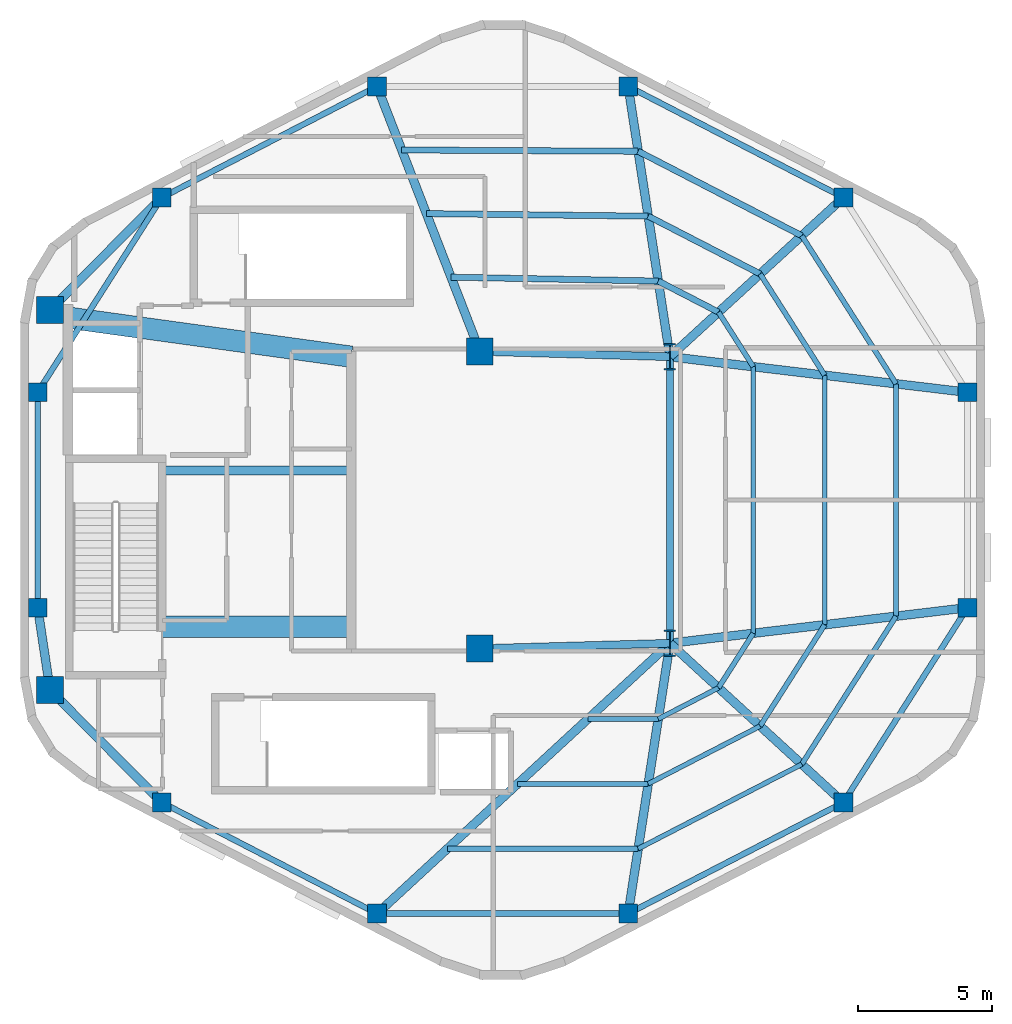
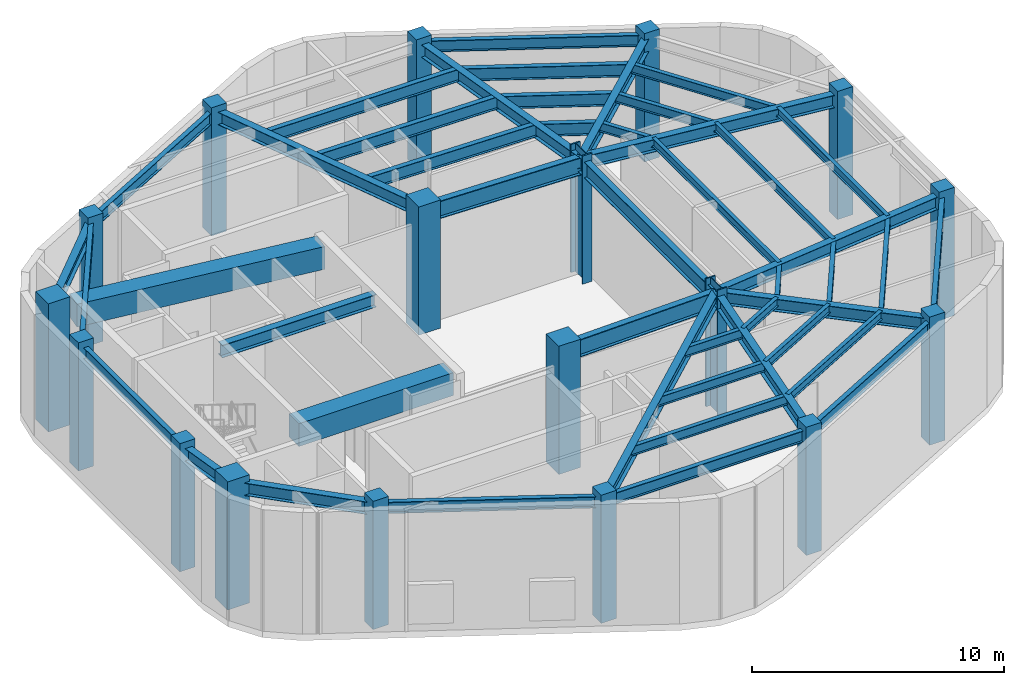
# One storey, part 1 of 5: 46 beams, 18 columns.
"""IFC4 building model written with IfcOpenShell, lengths in metres."""

import ifcopenshell
import ifcopenshell.guid

model = None  # the IFC model being written
_history = None  # IfcOwnerHistory: only IFC2X3 demands one
_inside = {}  # id of a spatial element -> (the spatial element, [elements in it])
_under = {}  # id of a project, library or spatial element -> (it, [spatial elements below it])
_declared = {}  # id of a project -> (the project, [libraries it declares])
_typed = {}  # id of a type object -> (the type object, [elements of that type])
_made_of = {}  # id of a material, layer set ... -> (it, [elements and type objects made of it])


def new_model(schema):
    """Start an empty IFC model of exactly this schema.

    Asked for "IFC4X3", IfcOpenShell would pick the latest addendum, in which some entities
    have other attributes; the version numbers below select the first issue.
    IFC2X3 requires an IfcOwnerHistory on every rooted entity: one is made here for all.
    """
    global model, _history
    if schema == "IFC4X3":
        model = ifcopenshell.file(schema_version=(4, 3, 0, 0))
    else:
        model = ifcopenshell.file(schema=schema)
    _inside.clear()
    _under.clear()
    _declared.clear()
    _typed.clear()
    _made_of.clear()
    _history = None
    if model.schema == "IFC2X3":
        org = make("IfcOrganization", Name="unknown")
        user = make(
            "IfcPersonAndOrganization",
            ThePerson=make("IfcPerson", FamilyName="unknown"),
            TheOrganization=org,
        )
        app = make(
            "IfcApplication",
            ApplicationDeveloper=org,
            Version="unknown",
            ApplicationFullName="unknown",
            ApplicationIdentifier="unknown",
        )
        _history = make(
            "IfcOwnerHistory",
            OwningUser=user,
            OwningApplication=app,
            ChangeAction="ADDED",
            CreationDate=0,
        )
    return model


def make(cls, **values):
    """One entity of the class cls with the attributes given. An attribute that is None is left unset."""
    return model.create_entity(
        cls, **{name: value for name, value in values.items() if value is not None}
    )


def rooted(cls, **values):
    """An entity with a GlobalId (a new one), such as an element, a storey or a relation."""
    return make(cls, GlobalId=ifcopenshell.guid.new(), OwnerHistory=_history, **values)


def si_unit(unit_type, name, prefix=None):
    """IfcSIUnit, for example si_unit("LENGTHUNIT", "METRE", prefix="MILLI")."""
    return make("IfcSIUnit", UnitType=unit_type, Prefix=prefix, Name=name)


def assignment(units):
    """IfcUnitAssignment: the units of a project."""
    return None if units is None else make("IfcUnitAssignment", Units=units)


def point(xyz):
    """IfcCartesianPoint."""
    return None if xyz is None else make("IfcCartesianPoint", Coordinates=xyz)


def direction(xyz):
    """IfcDirection."""
    return None if xyz is None else make("IfcDirection", DirectionRatios=xyz)


def frame(location, z_axis=None, x_axis=None):
    """IfcAxis2Placement3D, a coordinate frame: its origin and axes. An axis left out is left unset."""
    return make(
        "IfcAxis2Placement3D",
        Location=point(location),
        Axis=direction(z_axis),
        RefDirection=direction(x_axis),
    )


def frame_2d(location, x_axis=None):
    """IfcAxis2Placement2D, a coordinate frame in the plane: its origin and x axis."""
    return make(
        "IfcAxis2Placement2D", Location=point(location), RefDirection=direction(x_axis)
    )


def origin():
    """The frame at (0, 0, 0) with its axes left unset."""
    return frame((0.0, 0.0, 0.0))


def origin_2d():
    """The frame at (0, 0) in the plane with its x axis left unset."""
    return frame_2d((0.0, 0.0))


def place(relative_to, where):
    """IfcLocalPlacement: puts the frame where relative to a parent placement (None: the world)."""
    return make(
        "IfcLocalPlacement", PlacementRelTo=relative_to, RelativePlacement=where
    )


def context(
    kind, dimensions, precision=None, world=None, true_north=None, identifier=None
):
    """IfcGeometricRepresentationContext, for example the 3D "Model" context."""
    return make(
        "IfcGeometricRepresentationContext",
        ContextIdentifier=identifier,
        ContextType=kind,
        CoordinateSpaceDimension=dimensions,
        Precision=precision,
        WorldCoordinateSystem=world,
        TrueNorth=true_north,
    )


def subcontext(parent, identifier, kind, view, scale=None):
    """IfcGeometricRepresentationSubContext, for example "Body" below "Model"."""
    return make(
        "IfcGeometricRepresentationSubContext",
        ContextIdentifier=identifier,
        ContextType=kind,
        ParentContext=parent,
        TargetScale=scale,
        TargetView=view,
    )


def project(units=None, contexts=None):
    """IfcProject with its units and contexts."""
    return rooted(
        "IfcProject",
        Name="project",
        RepresentationContexts=contexts,
        UnitsInContext=assignment(units),
    )


def spatial(cls, under=None, at=None, **own):
    """A site, building, storey or space (cls), placed at a placement, below another one or the project."""
    s = rooted(cls, ObjectPlacement=at, **own)
    if under is not None:
        _under.setdefault(under.id(), (under, []))[1].append(s)
    return s


def profile(cls, at=None, kind="AREA", **sizes):
    """A parametric profile (cls). Its sizes go by their IFC names, for example OverallWidth=200.0."""
    return make(cls, ProfileType=kind, Position=at, **sizes)


def rectangle(**sizes):
    """IfcRectangleProfileDef."""
    return profile("IfcRectangleProfileDef", **sizes)


def i_section(**sizes):
    """IfcIShapeProfileDef."""
    return profile("IfcIShapeProfileDef", **sizes)


def extrude(swept, where, along, depth):
    """IfcExtrudedAreaSolid: the profile swept, set in the frame where, extruded along a direction by depth."""
    return make(
        "IfcExtrudedAreaSolid",
        SweptArea=swept,
        Position=where,
        ExtrudedDirection=direction(along),
        Depth=depth,
    )


def shape(context_of_items, identifier, shape_type, items):
    """IfcShapeRepresentation: the items that make up one representation, for example the "Body"."""
    return make(
        "IfcShapeRepresentation",
        ContextOfItems=context_of_items,
        RepresentationIdentifier=identifier,
        RepresentationType=shape_type,
        Items=items,
    )


def material(Name=None, Category=None):
    """IfcMaterial."""
    return make("IfcMaterial", Name=Name, Category=Category)


def material_profile(
    of_material, cross_section, Name=None, Category=None, Priority=None
):
    """IfcMaterialProfile: a cross section and its material."""
    return make(
        "IfcMaterialProfile",
        Name=Name,
        Material=of_material,
        Profile=cross_section,
        Priority=Priority,
        Category=Category,
    )


def profile_set(profiles, Name=None, composite=None):
    """IfcMaterialProfileSet."""
    return make(
        "IfcMaterialProfileSet",
        Name=Name,
        MaterialProfiles=profiles,
        CompositeProfile=composite,
    )


def made_of(thing, what):
    """Note that an element or type object is made of a material, layer set ...; save() writes the relation."""
    if what is not None:
        _made_of.setdefault(what.id(), (what, []))[1].append(thing)
    return thing


def type_object(cls, material=None, **own):
    """A type object (cls), such as IfcWallType, which elements share."""
    return made_of(rooted(cls, **own), material)


def element(
    cls,
    number,
    at=None,
    inside=None,
    cuts=None,
    type_object=None,
    material=None,
    context=None,
    identifier="Body",
    shape_type=None,
    held_by="IfcProductDefinitionShape",
    body=None,
    shapes=None,
    **own,
):
    """One element of the class cls, such as IfcWall. Its Tag is "e" and its number.

    at: its placement. inside: the storey or other place that contains it. cuts: it is an
    opening in that element (IfcRelVoidsElement). A single representation is given by context,
    identifier, shape_type and body (its items); several are given by shapes. held_by: the class
    of the entity that holds the representations. save() writes the other relations.
    """
    e = rooted(cls, Tag="e%d" % number, ObjectPlacement=at, **own)
    if body is not None:
        shapes = [shape(context, identifier, shape_type, body)]
    if shapes is not None:
        e.Representation = make(held_by, Representations=shapes)
    if inside is not None:
        _inside.setdefault(inside.id(), (inside, []))[1].append(e)
    if cuts is not None:
        rooted(
            "IfcRelVoidsElement", RelatingBuildingElement=cuts, RelatedOpeningElement=e
        )
    if type_object is not None:
        _typed.setdefault(type_object.id(), (type_object, []))[1].append(e)
    return made_of(e, material)


def aggregate(whole, parts):
    """IfcRelAggregates: a whole, such as a stair, and the parts it consists of."""
    return rooted("IfcRelAggregates", RelatingObject=whole, RelatedObjects=parts)


def save(model, path):
    """Write the relations noted so far, then the file.

    IfcRelAggregates (storeys below a building ...), IfcRelContainedInSpatialStructure (elements
    in a storey), IfcRelDefinesByType, IfcRelAssociatesMaterial and IfcRelDeclares: one each for
    every whole, place, type object, material and project.
    """
    for whole, parts in _under.values():
        aggregate(whole, parts)
    for where, things in _inside.values():
        rooted(
            "IfcRelContainedInSpatialStructure",
            RelatedElements=things,
            RelatingStructure=where,
        )
    for kind, things in _typed.values():
        rooted("IfcRelDefinesByType", RelatedObjects=things, RelatingType=kind)
    for what, things in _made_of.values():
        rooted("IfcRelAssociatesMaterial", RelatedObjects=things, RelatingMaterial=what)
    for by, libraries in _declared.values():
        rooted("IfcRelDeclares", RelatingContext=by, RelatedDefinitions=libraries)
    model.write(path)


model = new_model("IFC4")

# Units and contexts
model_context = context("Model", 3, precision=1e-05, world=origin(), true_north=direction((0.0, 1.0)))
body_context = subcontext(model_context, "Body", "Model", "MODEL_VIEW")
ifc_project = project(units=[si_unit("LENGTHUNIT", "METRE"), si_unit("AREAUNIT", "SQUARE_METRE"), si_unit("VOLUMEUNIT", "CUBIC_METRE"), si_unit("PLANEANGLEUNIT", "RADIAN"), si_unit("MASSUNIT", "GRAM", prefix="KILO"), si_unit("THERMODYNAMICTEMPERATUREUNIT", "KELVIN"), si_unit("POWERUNIT", "WATT")], contexts=[model_context])

# Site, building, storey
site_placement = place(None, origin())
site = spatial("IfcSite", under=ifc_project, at=site_placement, CompositionType="ELEMENT")
building_placement = place(site_placement, origin())
building = spatial("IfcBuilding", under=site, at=building_placement, Name="Skarre Station Tower", CompositionType="ELEMENT")
storey_placement = place(building_placement, frame((0.0, 0.0, 285.10009765625)))
storey = spatial("IfcBuildingStorey", under=building, at=storey_placement, Name="L77", CompositionType="ELEMENT", Elevation=285.10009765625)

# Columns
ifc_material_1 = material(Name="Concrete C60/75", Category="concrete")
ifc_material_profile_1 = material_profile(ifc_material_1, rectangle(XDim=1.0, YDim=1.0, at=origin_2d()), Name="Concrete C60/75")
ifc_profile_set_1 = profile_set([ifc_material_profile_1], Name="Concrete C60/75")
column_type_1 = type_object("IfcColumnType", Name="RC Structural Column RC-COL-1000X1000", PredefinedType="COLUMN", material=ifc_profile_set_1)
for number, where, z_axis, x_axis, name in (
    (1, (16.300048828125, 16.89990234375, 0.0), (0.0, 0.0, 1.0), (1.0, 0.0, 0.0), "L77 Core Column CC-SW"),
    (2, (16.300048828125, 31.10009765625, 0.0), (0.0, 0.0, 1.0), (1.0, 0.0, 0.0), "L77 Core Column CC-NW"),
    (3, (32.35009765625, 18.449951171875, 0.0), (0.0, 0.0, 1.0), (1.0, 0.0, 0.0), "L77 Core Column CC-SE"),
    (4, (32.35009765625, 29.550048828125, 0.0), (0.0, 0.0, 1.0), (1.0, 0.0, 0.0), "L77 Core Column CC-NE"),
):
    element("IfcColumn", number, at=place(storey_placement, frame(where, z_axis=z_axis, x_axis=x_axis)), inside=storey, type_object=column_type_1, Name=name, PredefinedType="COLUMN", context=body_context, shape_type="SweptSolid", body=[
        extrude(rectangle(XDim=1.0, YDim=1.0, at=origin_2d()), origin(), (0.0, 0.0, 1.0), 6.199951171875),
    ])
ifc_material_2 = material(Name="Concrete C50/60", Category="concrete")
ifc_material_profile_2 = material_profile(ifc_material_2, rectangle(XDim=0.699951171875, YDim=0.699951171875, at=origin_2d()), Name="Concrete C50/60")
ifc_profile_set_2 = profile_set([ifc_material_profile_2], Name="Concrete C50/60")
column_type_2 = type_object("IfcColumnType", Name="RC Structural Column RC-COL-700X700", PredefinedType="COLUMN", material=ifc_profile_set_2)
for number, where, z_axis, x_axis, name in (
    (5, (45.927001953125, 35.298095703125, 0.0), (0.0, 0.0, 1.0), (1.0, 0.0, 0.0), "L77 Zone 4 Perimeter Column F0C1"),
    (6, (37.888916015625, 39.447021484375, 0.0), (0.0, 0.0, 1.0), (1.0, 0.0, 0.0), "L77 Zone 4 Perimeter Column F0C2"),
    (7, (28.510986328125, 39.447021484375, 0.0), (0.0, 0.0, 1.0), (1.0, 0.0, 0.0), "L77 Zone 4 Perimeter Column F1C1"),
    (8, (20.472900390625, 35.298095703125, 0.0), (0.0, 0.0, 1.0), (1.0, 0.0, 0.0), "L77 Zone 4 Perimeter Column F1C2"),
    (9, (15.8369140625, 28.02099609375, 0.0), (0.0, 0.0, 1.0), (1.0, 0.0, 0.0), "L77 Zone 4 Perimeter Column F2C1"),
    (10, (15.8369140625, 19.97900390625, 0.0), (0.0, 0.0, 1.0), (1.0, 0.0, 0.0), "L77 Zone 4 Perimeter Column F2C2"),
    (11, (20.472900390625, 12.701904296875, 0.0), (0.0, 0.0, 1.0), (1.0, 0.0, 0.0), "L77 Zone 4 Perimeter Column F3C1"),
    (12, (28.510986328125, 8.552978515625, 0.0), (0.0, 0.0, 1.0), (1.0, 0.0, 0.0), "L77 Zone 4 Perimeter Column F3C2"),
    (13, (37.888916015625, 8.552978515625, 0.0), (0.0, 0.0, 1.0), (1.0, 0.0, 0.0), "L77 Zone 4 Perimeter Column F4C1"),
    (14, (45.927001953125, 12.701904296875, 0.0), (0.0, 0.0, 1.0), (1.0, 0.0, 0.0), "L77 Zone 4 Perimeter Column F4C2"),
    (15, (50.56298828125, 19.97900390625, 0.0), (0.0, 0.0, 1.0), (1.0, 0.0, 0.0), "L77 Zone 4 Perimeter Column F5C1"),
    (16, (50.56298828125, 28.02099609375, 0.0), (0.0, 0.0, 1.0), (1.0, 0.0, 0.0), "L77 Zone 4 Perimeter Column F5C2"),
):
    element("IfcColumn", number, at=place(storey_placement, frame(where, z_axis=z_axis, x_axis=x_axis)), inside=storey, type_object=column_type_2, Name=name, PredefinedType="COLUMN", context=body_context, shape_type="SweptSolid", body=[
        extrude(rectangle(XDim=0.699951171875, YDim=0.699951171875, at=origin_2d()), origin(), (0.0, 0.0, 1.0), 6.199951171875),
    ])
ifc_material_3 = material(Name="Steel ASTM A913 Grade 65", Category="steel")
ifc_material_profile_3 = material_profile(ifc_material_3, i_section(OverallWidth=0.430908203125, OverallDepth=0.987060546875, WebThickness=0.033935546875, FlangeThickness=0.06201171875, at=origin_2d()), Name="Steel ASTM A913 Grade 65")
ifc_profile_set_3 = profile_set([ifc_material_profile_3], Name="Steel ASTM A913 Grade 65")
column_type_3 = type_object("IfcColumnType", Name="Steel Column W36X441", PredefinedType="COLUMN", material=ifc_profile_set_3)
for number, where, z_axis, x_axis, name in (
    (17, (39.449951171875, 18.64990234375, 0.0), (0.0, 0.0, 1.0), (1.0, 0.0, 0.0), "L77 Atrium Spine Column AC-SE"),
    (18, (39.449951171875, 29.35009765625, 0.0), (0.0, 0.0, 1.0), (1.0, 0.0, 0.0), "L77 Atrium Spine Column AC-NE"),
):
    element("IfcColumn", number, at=place(storey_placement, frame(where, z_axis=z_axis, x_axis=x_axis)), inside=storey, type_object=column_type_3, Name=name, PredefinedType="COLUMN", context=body_context, shape_type="SweptSolid", body=[
        extrude(i_section(OverallWidth=0.430908203125, OverallDepth=0.987060546875, WebThickness=0.033935546875, FlangeThickness=0.06201171875, at=origin_2d()), origin(), (0.0, 0.0, 1.0), 6.199951171875),
    ])

# Beams
ifc_material_4 = material(Name="Concrete C70/85", Category="concrete")
ifc_material_profile_4 = material_profile(ifc_material_4, rectangle(XDim=0.800048828125, YDim=1.10009765625, at=origin_2d()), Name="Concrete C70/85")
ifc_profile_set_4 = profile_set([ifc_material_profile_4], Name="Concrete C70/85")
beam_type_1 = type_object("IfcBeamType", Name="RC Core Coupling Lintel 800x1100", PredefinedType="LINTEL", material=ifc_profile_set_4)
beam_1_placement = place(storey_placement, frame((20.489990234375, 19.260009765625, 5.329833984375), z_axis=(1.0, 0.0, 0.0), x_axis=(0.0, 1.0, 0.0)))
element("IfcBeam", 19, at=beam_1_placement, inside=storey, type_object=beam_type_1, Name="L77 South Core Coupling Lintel", PredefinedType="LINTEL", context=body_context, shape_type="SweptSolid", body=[
    extrude(rectangle(XDim=0.800048828125, YDim=1.10009765625, at=origin_2d()), origin(), (0.0, 0.0, 1.0), 7.06005859375),
])
beam_2_placement = place(storey_placement, frame((17.050048828125, 30.800048828125, 5.329833984375), z_axis=(0.990599723633, -0.136792498109, 0.0), x_axis=(0.136792498109, 0.990599723633, 0.0)))
element("IfcBeam", 20, at=beam_2_placement, inside=storey, type_object=beam_type_1, Name="L77 North Core Coupling Lintel", PredefinedType="LINTEL", context=body_context, shape_type="SweptSolid", body=[
    extrude(rectangle(XDim=0.800048828125, YDim=1.10009765625, at=origin_2d()), origin(), (0.0, 0.0, 1.0), 10.599609375),
])
ifc_material_5 = material(Name="Steel ASTM A992 Grade 50", Category="steel")
ifc_material_profile_5 = material_profile(ifc_material_5, i_section(OverallWidth=0.323974609375, OverallDepth=0.611083984375, WebThickness=0.012939453125, FlangeThickness=0.01904296875, at=origin_2d()), Name="Steel ASTM A992 Grade 50")
ifc_profile_set_5 = profile_set([ifc_material_profile_5], Name="Steel ASTM A992 Grade 50")
beam_type_2 = type_object("IfcBeamType", Name="Steel Beam W24X104", PredefinedType="BEAM", material=ifc_profile_set_5)
beam_3_placement = place(storey_placement, frame((39.449951171875, 29.35009765625, 5.574951171875), z_axis=(0.736547671183, 0.676385635621, 0.0), x_axis=(-0.676385635621, 0.736547671183, 0.0)))
element("IfcBeam", 21, at=beam_3_placement, inside=storey, type_object=beam_type_2, Name="L77 Radial Floor Girder F0C1", PredefinedType="BEAM", context=body_context, shape_type="SweptSolid", body=[
    extrude(i_section(OverallWidth=0.323974609375, OverallDepth=0.611083984375, WebThickness=0.012939453125, FlangeThickness=0.01904296875, at=origin_2d()), origin(), (0.0, 0.0, 1.0), 8.793701171875),
])
beam_4_placement = place(storey_placement, frame((39.449951171875, 29.35009765625, 5.574951171875), z_axis=(-0.152789762931, 0.988258715288, 0.0), x_axis=(-0.988258715288, -0.152789762931, 0.0)))
element("IfcBeam", 22, at=beam_4_placement, inside=storey, type_object=beam_type_2, Name="L77 Radial Floor Girder F0C2", PredefinedType="BEAM", context=body_context, shape_type="SweptSolid", body=[
    extrude(i_section(OverallWidth=0.323974609375, OverallDepth=0.611083984375, WebThickness=0.012939453125, FlangeThickness=0.01904296875, at=origin_2d()), origin(), (0.0, 0.0, 1.0), 10.216796875),
])
beam_5_placement = place(storey_placement, frame((32.35009765625, 29.550048828125, 5.574951171875), z_axis=(-0.361651478681, 0.932313363611, 0.0), x_axis=(-0.932313363611, -0.361651478681, 0.0)))
element("IfcBeam", 23, at=beam_5_placement, inside=storey, type_object=beam_type_2, Name="L77 Radial Floor Girder F1C1", PredefinedType="BEAM", context=body_context, shape_type="SweptSolid", body=[
    extrude(i_section(OverallWidth=0.323974609375, OverallDepth=0.611083984375, WebThickness=0.012939453125, FlangeThickness=0.01904296875, at=origin_2d()), origin(), (0.0, 0.0, 1.0), 10.615478515625),
])
beam_6_placement = place(storey_placement, frame((16.300048828125, 31.10009765625, 5.574951171875), z_axis=(0.704979413242, 0.709227768002, 0.0), x_axis=(-0.709227768002, 0.704979413242, 0.0)))
element("IfcBeam", 24, at=beam_6_placement, inside=storey, type_object=beam_type_2, Name="L77 Radial Floor Girder F1C2", PredefinedType="BEAM", context=body_context, shape_type="SweptSolid", body=[
    extrude(i_section(OverallWidth=0.323974609375, OverallDepth=0.611083984375, WebThickness=0.012939453125, FlangeThickness=0.01904296875, at=origin_2d()), origin(), (0.0, 0.0, 1.0), 5.919189453125),
])
beam_7_placement = place(storey_placement, frame((16.300048828125, 16.89990234375, 5.574951171875), z_axis=(-0.148739188492, 0.988876460336, 0.0), x_axis=(-0.988876460336, -0.148739188492, 0.0)))
element("IfcBeam", 25, at=beam_7_placement, inside=storey, type_object=beam_type_2, Name="L77 Radial Floor Girder F2C2", PredefinedType="BEAM", context=body_context, shape_type="SweptSolid", body=[
    extrude(i_section(OverallWidth=0.323974609375, OverallDepth=0.611083984375, WebThickness=0.012939453125, FlangeThickness=0.01904296875, at=origin_2d()), origin(), (0.0, 0.0, 1.0), 3.11376953125),
])
beam_8_placement = place(storey_placement, frame((16.300048828125, 16.89990234375, 5.574951171875), z_axis=(0.704979413242, -0.709227768002, 0.0), x_axis=(0.709227768002, 0.704979413242, 0.0)))
element("IfcBeam", 26, at=beam_8_placement, inside=storey, type_object=beam_type_2, Name="L77 Radial Floor Girder F3C1", PredefinedType="BEAM", context=body_context, shape_type="SweptSolid", body=[
    extrude(i_section(OverallWidth=0.323974609375, OverallDepth=0.611083984375, WebThickness=0.012939453125, FlangeThickness=0.01904296875, at=origin_2d()), origin(), (0.0, 0.0, 1.0), 5.919189453125),
])
beam_9_placement = place(storey_placement, frame((39.449951171875, 18.64990234375, 5.574951171875), z_axis=(-0.734822935818, -0.678258986668, 0.0), x_axis=(0.678258986668, -0.734822935818, 0.0)))
element("IfcBeam", 27, at=beam_9_placement, inside=storey, type_object=beam_type_2, Name="L77 Radial Floor Girder F3C2", PredefinedType="BEAM", context=body_context, shape_type="SweptSolid", body=[
    extrude(i_section(OverallWidth=0.323974609375, OverallDepth=0.611083984375, WebThickness=0.012939453125, FlangeThickness=0.01904296875, at=origin_2d()), origin(), (0.0, 0.0, 1.0), 14.886474609375),
])
beam_10_placement = place(storey_placement, frame((39.449951171875, 18.64990234375, 5.574951171875), z_axis=(-0.152789762931, -0.988258715288, 0.0), x_axis=(0.988258715288, -0.152789762931, 0.0)))
element("IfcBeam", 28, at=beam_10_placement, inside=storey, type_object=beam_type_2, Name="L77 Radial Floor Girder F4C1", PredefinedType="BEAM", context=body_context, shape_type="SweptSolid", body=[
    extrude(i_section(OverallWidth=0.323974609375, OverallDepth=0.611083984375, WebThickness=0.012939453125, FlangeThickness=0.01904296875, at=origin_2d()), origin(), (0.0, 0.0, 1.0), 10.216796875),
])
beam_11_placement = place(storey_placement, frame((39.449951171875, 18.64990234375, 5.574951171875), z_axis=(0.736547671183, -0.676385635621, 0.0), x_axis=(0.676385635621, 0.736547671183, 0.0)))
element("IfcBeam", 29, at=beam_11_placement, inside=storey, type_object=beam_type_2, Name="L77 Radial Floor Girder F4C2", PredefinedType="BEAM", context=body_context, shape_type="SweptSolid", body=[
    extrude(i_section(OverallWidth=0.323974609375, OverallDepth=0.611083984375, WebThickness=0.012939453125, FlangeThickness=0.01904296875, at=origin_2d()), origin(), (0.0, 0.0, 1.0), 8.793701171875),
])
for number, where, z_axis, x_axis, name in (
    (30, (39.449951171875, 18.64990234375, 5.574951171875), (0.99292393128, 0.118752122891, 0.0), (-0.118752122891, 0.99292393128, 0.0), "L77 Radial Floor Girder F5C1"),
    (31, (39.449951171875, 29.35009765625, 5.574951171875), (0.99292393128, -0.118752122891, 0.0), (0.118752122891, 0.99292393128, 0.0), "L77 Radial Floor Girder F5C2"),
):
    element("IfcBeam", number, at=place(storey_placement, frame(where, z_axis=z_axis, x_axis=x_axis)), inside=storey, type_object=beam_type_2, Name=name, PredefinedType="BEAM", context=body_context, shape_type="SweptSolid", body=[
        extrude(i_section(OverallWidth=0.323974609375, OverallDepth=0.611083984375, WebThickness=0.012939453125, FlangeThickness=0.01904296875, at=origin_2d()), origin(), (0.0, 0.0, 1.0), 11.192138671875),
    ])
beam_12_placement = place(storey_placement, frame((20.489990234375, 25.10009765625, 5.673828125), z_axis=(1.0, 0.0, 0.0), x_axis=(0.0, 1.0, 0.0)))
element("IfcBeam", 32, at=beam_12_placement, inside=storey, type_object=beam_type_2, Name="L77 Crown Vestibule North Support Beam", PredefinedType="BEAM", context=body_context, shape_type="SweptSolid", body=[
    extrude(i_section(OverallWidth=0.323974609375, OverallDepth=0.611083984375, WebThickness=0.012939453125, FlangeThickness=0.01904296875, at=origin_2d()), origin(), (0.0, 0.0, 1.0), 7.06005859375),
])
ifc_material_profile_6 = material_profile(ifc_material_5, i_section(OverallWidth=0.26806640625, OverallDepth=0.77001953125, WebThickness=0.01611328125, FlangeThickness=0.02490234375, at=origin_2d()), Name="Steel ASTM A992 Grade 50")
ifc_profile_set_6 = profile_set([ifc_material_profile_6], Name="Steel ASTM A992 Grade 50")
beam_type_3 = type_object("IfcBeamType", Name="Steel Beam W30X132", PredefinedType="BEAM", material=ifc_profile_set_6)
beam_13_placement = place(storey_placement, frame((39.449951171875, 18.64990234375, 5.494873046875), z_axis=(0.0, 1.0, 0.0), x_axis=(-1.0, 0.0, 0.0)))
element("IfcBeam", 33, at=beam_13_placement, inside=storey, type_object=beam_type_3, Name="L77 Atrium East Edge Girder", PredefinedType="BEAM", context=body_context, shape_type="SweptSolid", body=[
    extrude(i_section(OverallWidth=0.26806640625, OverallDepth=0.77001953125, WebThickness=0.01611328125, FlangeThickness=0.02490234375, at=origin_2d()), origin(), (0.0, 0.0, 1.0), 10.7001953125),
])
ifc_material_profile_7 = material_profile(ifc_material_5, i_section(OverallWidth=0.2919921875, OverallDepth=0.85888671875, WebThickness=0.01708984375, FlangeThickness=0.031005859375, at=origin_2d()), Name="Steel ASTM A992 Grade 50")
ifc_profile_set_7 = profile_set([ifc_material_profile_7], Name="Steel ASTM A992 Grade 50")
beam_type_4 = type_object("IfcBeamType", Name="Steel Beam W33X169", PredefinedType="BEAM", material=ifc_profile_set_7)
for number, where, z_axis, x_axis, name in (
    (34, (32.35009765625, 18.449951171875, 5.449951171875), (0.999603666405, 0.028151556095, 0.0), (-0.028151556095, 0.999603666405, 0.0), "L77 Atrium South Edge Girder"),
    (35, (32.35009765625, 29.550048828125, 5.449951171875), (0.999603666405, -0.028151556095, 0.0), (0.028151556095, 0.999603666405, 0.0), "L77 Atrium North Edge Girder"),
):
    element("IfcBeam", number, at=place(storey_placement, frame(where, z_axis=z_axis, x_axis=x_axis)), inside=storey, type_object=beam_type_4, Name=name, PredefinedType="BEAM", context=body_context, shape_type="SweptSolid", body=[
        extrude(i_section(OverallWidth=0.2919921875, OverallDepth=0.85888671875, WebThickness=0.01708984375, FlangeThickness=0.031005859375, at=origin_2d()), origin(), (0.0, 0.0, 1.0), 7.102783203125),
    ])
ifc_material_profile_8 = material_profile(ifc_material_5, i_section(OverallWidth=0.177978515625, OverallDepth=0.403076171875, WebThickness=0.008056640625, FlangeThickness=0.010986328125, at=origin_2d()), Name="Steel ASTM A992 Grade 50")
ifc_profile_set_8 = profile_set([ifc_material_profile_8], Name="Steel ASTM A992 Grade 50")
beam_type_5 = type_object("IfcBeamType", Name="Steel Joist W16X36", PredefinedType="JOIST", material=ifc_profile_set_8)
beam_14_placement = place(storey_placement, frame((39.012939453125, 15.822998046875, 5.678955078125), z_axis=(0.888569970054, 0.458741112522, 0.0), x_axis=(-0.458741112522, 0.888569970054, 0.0)))
element("IfcBeam", 36, at=beam_14_placement, inside=storey, type_object=beam_type_5, Name="L77 Auxiliary Composite Joist 15", PredefinedType="JOIST", context=body_context, shape_type="SweptSolid", body=[
    extrude(i_section(OverallWidth=0.177978515625, OverallDepth=0.403076171875, WebThickness=0.008056640625, FlangeThickness=0.010986328125, at=origin_2d()), origin(), (0.0, 0.0, 1.0), 2.533203125),
])
beam_15_placement = place(storey_placement, frame((38.637939453125, 13.39990234375, 5.678955078125), z_axis=(0.88866637077, 0.458554338614, 0.0), x_axis=(-0.458554338614, 0.88866637077, 0.0)))
element("IfcBeam", 37, at=beam_15_placement, inside=storey, type_object=beam_type_5, Name="L77 Auxiliary Composite Joist 16", PredefinedType="JOIST", context=body_context, shape_type="SweptSolid", body=[
    extrude(i_section(OverallWidth=0.177978515625, OverallDepth=0.403076171875, WebThickness=0.008056640625, FlangeThickness=0.010986328125, at=origin_2d()), origin(), (0.0, 0.0, 1.0), 4.703857421875),
])
beam_16_placement = place(storey_placement, frame((38.263916015625, 10.97607421875, 5.678955078125), z_axis=(0.888578636, 0.458724326414, 0.0), x_axis=(-0.458724326414, 0.888578636, 0.0)))
element("IfcBeam", 38, at=beam_16_placement, inside=storey, type_object=beam_type_5, Name="L77 Auxiliary Composite Joist 17", PredefinedType="JOIST", context=body_context, shape_type="SweptSolid", body=[
    extrude(i_section(OverallWidth=0.177978515625, OverallDepth=0.403076171875, WebThickness=0.008056640625, FlangeThickness=0.010986328125, at=origin_2d()), origin(), (0.0, 0.0, 1.0), 6.875244140625),
])
beam_17_placement = place(storey_placement, frame((42.56201171875, 19.02197265625, 5.678955078125), z_axis=(0.0, 1.0, 0.0), x_axis=(-1.0, 0.0, 0.0)))
element("IfcBeam", 39, at=beam_17_placement, inside=storey, type_object=beam_type_5, Name="L77 Auxiliary Composite Joist 21", PredefinedType="JOIST", context=body_context, shape_type="SweptSolid", body=[
    extrude(i_section(OverallWidth=0.177978515625, OverallDepth=0.403076171875, WebThickness=0.008056640625, FlangeThickness=0.010986328125, at=origin_2d()), origin(), (0.0, 0.0, 1.0), 9.9560546875),
])
beam_18_placement = place(storey_placement, frame((45.22900390625, 19.341064453125, 5.678955078125), z_axis=(0.0, 1.0, 0.0), x_axis=(-1.0, 0.0, 0.0)))
element("IfcBeam", 40, at=beam_18_placement, inside=storey, type_object=beam_type_5, Name="L77 Auxiliary Composite Joist 22", PredefinedType="JOIST", context=body_context, shape_type="SweptSolid", body=[
    extrude(i_section(OverallWidth=0.177978515625, OverallDepth=0.403076171875, WebThickness=0.008056640625, FlangeThickness=0.010986328125, at=origin_2d()), origin(), (0.0, 0.0, 1.0), 9.31787109375),
])
beam_19_placement = place(storey_placement, frame((47.89599609375, 19.659912109375, 5.678955078125), z_axis=(0.0, 1.0, 0.0), x_axis=(-1.0, 0.0, 0.0)))
element("IfcBeam", 41, at=beam_19_placement, inside=storey, type_object=beam_type_5, Name="L77 Auxiliary Composite Joist 23", PredefinedType="JOIST", context=body_context, shape_type="SweptSolid", body=[
    extrude(i_section(OverallWidth=0.177978515625, OverallDepth=0.403076171875, WebThickness=0.008056640625, FlangeThickness=0.010986328125, at=origin_2d()), origin(), (0.0, 0.0, 1.0), 8.68017578125),
])
ifc_material_profile_9 = material_profile(ifc_material_5, i_section(OverallWidth=0.19091796875, OverallDepth=0.45703125, WebThickness=0.009033203125, FlangeThickness=0.013916015625, at=origin_2d()), Name="Steel ASTM A992 Grade 50")
ifc_profile_set_9 = profile_set([ifc_material_profile_9], Name="Steel ASTM A992 Grade 50")
beam_type_6 = type_object("IfcBeamType", Name="Steel Joist W18X50", PredefinedType="JOIST", material=ifc_profile_set_9)
beam_20_placement = place(storey_placement, frame((36.386962890625, 15.822998046875, 5.65185546875), z_axis=(1.0, 0.0, 0.0), x_axis=(0.0, 1.0, 0.0)))
element("IfcBeam", 42, at=beam_20_placement, inside=storey, type_object=beam_type_6, Name="L77 Auxiliary Composite Joist 12", PredefinedType="JOIST", context=body_context, shape_type="SweptSolid", body=[
    extrude(i_section(OverallWidth=0.19091796875, OverallDepth=0.45703125, WebThickness=0.009033203125, FlangeThickness=0.013916015625, at=origin_2d()), origin(), (0.0, 0.0, 1.0), 2.6259765625),
])
beam_21_placement = place(storey_placement, frame((33.761962890625, 13.39990234375, 5.65185546875), z_axis=(1.0, 0.0, 0.0), x_axis=(0.0, 1.0, 0.0)))
element("IfcBeam", 43, at=beam_21_placement, inside=storey, type_object=beam_type_6, Name="L77 Auxiliary Composite Joist 13", PredefinedType="JOIST", context=body_context, shape_type="SweptSolid", body=[
    extrude(i_section(OverallWidth=0.19091796875, OverallDepth=0.45703125, WebThickness=0.009033203125, FlangeThickness=0.013916015625, at=origin_2d()), origin(), (0.0, 0.0, 1.0), 4.8759765625),
])
beam_22_placement = place(storey_placement, frame((31.135986328125, 10.97607421875, 5.65185546875), z_axis=(1.0, 0.0, 0.0), x_axis=(0.0, 1.0, 0.0)))
element("IfcBeam", 44, at=beam_22_placement, inside=storey, type_object=beam_type_6, Name="L77 Auxiliary Composite Joist 14", PredefinedType="JOIST", context=body_context, shape_type="SweptSolid", body=[
    extrude(i_section(OverallWidth=0.19091796875, OverallDepth=0.45703125, WebThickness=0.009033203125, FlangeThickness=0.013916015625, at=origin_2d()), origin(), (0.0, 0.0, 1.0), 7.1279296875),
])
beam_23_placement = place(storey_placement, frame((41.263916015625, 16.985107421875, 5.65185546875), z_axis=(0.537437848622, 0.843303361116, 0.0), x_axis=(-0.843303361116, 0.537437848622, 0.0)))
element("IfcBeam", 45, at=beam_23_placement, inside=storey, type_object=beam_type_6, Name="L77 Auxiliary Composite Joist 18", PredefinedType="JOIST", context=body_context, shape_type="SweptSolid", body=[
    extrude(i_section(OverallWidth=0.19091796875, OverallDepth=0.45703125, WebThickness=0.009033203125, FlangeThickness=0.013916015625, at=origin_2d()), origin(), (0.0, 0.0, 1.0), 2.415283203125),
])
beam_24_placement = place(storey_placement, frame((42.818115234375, 15.556884765625, 5.65185546875), z_axis=(0.53731551376, 0.843381312737, 0.0), x_axis=(-0.843381312737, 0.53731551376, 0.0)))
element("IfcBeam", 46, at=beam_24_placement, inside=storey, type_object=beam_type_6, Name="L77 Auxiliary Composite Joist 19", PredefinedType="JOIST", context=body_context, shape_type="SweptSolid", body=[
    extrude(i_section(OverallWidth=0.19091796875, OverallDepth=0.45703125, WebThickness=0.009033203125, FlangeThickness=0.013916015625, at=origin_2d()), origin(), (0.0, 0.0, 1.0), 4.48681640625),
])
beam_25_placement = place(storey_placement, frame((44.373046875, 14.1298828125, 5.65185546875), z_axis=(0.537292232804, 0.843396144507, 0.0), x_axis=(-0.843396144507, 0.537292232804, 0.0)))
element("IfcBeam", 47, at=beam_25_placement, inside=storey, type_object=beam_type_6, Name="L77 Auxiliary Composite Joist 20", PredefinedType="JOIST", context=body_context, shape_type="SweptSolid", body=[
    extrude(i_section(OverallWidth=0.19091796875, OverallDepth=0.45703125, WebThickness=0.009033203125, FlangeThickness=0.013916015625, at=origin_2d()), origin(), (0.0, 0.0, 1.0), 6.556884765625),
])
beam_26_placement = place(storey_placement, frame((42.56201171875, 28.97802734375, 5.65185546875), z_axis=(-0.537437848622, 0.843303361116, 0.0), x_axis=(-0.843303361116, -0.537437848622, 0.0)))
element("IfcBeam", 48, at=beam_26_placement, inside=storey, type_object=beam_type_6, Name="L77 Auxiliary Composite Joist 24", PredefinedType="JOIST", context=body_context, shape_type="SweptSolid", body=[
    extrude(i_section(OverallWidth=0.19091796875, OverallDepth=0.45703125, WebThickness=0.009033203125, FlangeThickness=0.013916015625, at=origin_2d()), origin(), (0.0, 0.0, 1.0), 2.415283203125),
])
beam_27_placement = place(storey_placement, frame((45.22900390625, 28.658935546875, 5.65185546875), z_axis=(-0.53731551376, 0.843381312737, 0.0), x_axis=(-0.843381312737, -0.53731551376, 0.0)))
element("IfcBeam", 49, at=beam_27_placement, inside=storey, type_object=beam_type_6, Name="L77 Auxiliary Composite Joist 25", PredefinedType="JOIST", context=body_context, shape_type="SweptSolid", body=[
    extrude(i_section(OverallWidth=0.19091796875, OverallDepth=0.45703125, WebThickness=0.009033203125, FlangeThickness=0.013916015625, at=origin_2d()), origin(), (0.0, 0.0, 1.0), 4.48681640625),
])
beam_28_placement = place(storey_placement, frame((47.89599609375, 28.340087890625, 5.65185546875), z_axis=(-0.537292232804, 0.843396144507, 0.0), x_axis=(-0.843396144507, -0.537292232804, 0.0)))
element("IfcBeam", 50, at=beam_28_placement, inside=storey, type_object=beam_type_6, Name="L77 Auxiliary Composite Joist 26", PredefinedType="JOIST", context=body_context, shape_type="SweptSolid", body=[
    extrude(i_section(OverallWidth=0.19091796875, OverallDepth=0.45703125, WebThickness=0.009033203125, FlangeThickness=0.013916015625, at=origin_2d()), origin(), (0.0, 0.0, 1.0), 6.556884765625),
])
ifc_material_profile_10 = material_profile(ifc_material_5, i_section(OverallWidth=0.22802734375, OverallDepth=0.60791015625, WebThickness=0.010986328125, FlangeThickness=0.01708984375, at=origin_2d()), Name="Steel ASTM A992 Grade 50")
ifc_profile_set_10 = profile_set([ifc_material_profile_10], Name="Steel ASTM A992 Grade 50")
beam_type_7 = type_object("IfcBeamType", Name="Steel Joist W24X76", PredefinedType="JOIST", material=ifc_profile_set_10)
beam_29_placement = place(storey_placement, frame((41.263916015625, 31.014892578125, 5.575927734375), z_axis=(-0.888569970054, 0.458741112522, 0.0), x_axis=(-0.458741112522, -0.888569970054, 0.0)))
element("IfcBeam", 51, at=beam_29_placement, inside=storey, type_object=beam_type_7, Name="L77 Secondary Floor Joist 1", PredefinedType="JOIST", context=body_context, shape_type="SweptSolid", body=[
    extrude(i_section(OverallWidth=0.22802734375, OverallDepth=0.60791015625, WebThickness=0.010986328125, FlangeThickness=0.01708984375, at=origin_2d()), origin(), (0.0, 0.0, 1.0), 2.533203125),
])
beam_30_placement = place(storey_placement, frame((42.818115234375, 32.443115234375, 5.575927734375), z_axis=(-0.88866637077, 0.458554338614, 0.0), x_axis=(-0.458554338614, -0.88866637077, 0.0)))
element("IfcBeam", 52, at=beam_30_placement, inside=storey, type_object=beam_type_7, Name="L77 Secondary Floor Joist 2", PredefinedType="JOIST", context=body_context, shape_type="SweptSolid", body=[
    extrude(i_section(OverallWidth=0.22802734375, OverallDepth=0.60791015625, WebThickness=0.010986328125, FlangeThickness=0.01708984375, at=origin_2d()), origin(), (0.0, 0.0, 1.0), 4.703857421875),
])
beam_31_placement = place(storey_placement, frame((44.373046875, 33.8701171875, 5.575927734375), z_axis=(-0.888578636, 0.458724326414, 0.0), x_axis=(-0.458724326414, -0.888578636, 0.0)))
element("IfcBeam", 53, at=beam_31_placement, inside=storey, type_object=beam_type_7, Name="L77 Secondary Floor Joist 3", PredefinedType="JOIST", context=body_context, shape_type="SweptSolid", body=[
    extrude(i_section(OverallWidth=0.22802734375, OverallDepth=0.60791015625, WebThickness=0.010986328125, FlangeThickness=0.01708984375, at=origin_2d()), origin(), (0.0, 0.0, 1.0), 6.875244140625),
])
beam_32_placement = place(storey_placement, frame((39.012939453125, 32.177001953125, 5.575927734375), z_axis=(-0.999826787326, 0.018611699149, 0.0), x_axis=(-0.018611699149, -0.999826787326, 0.0)))
element("IfcBeam", 54, at=beam_32_placement, inside=storey, type_object=beam_type_7, Name="L77 Secondary Floor Joist 4", PredefinedType="JOIST", context=body_context, shape_type="SweptSolid", body=[
    extrude(i_section(OverallWidth=0.22802734375, OverallDepth=0.60791015625, WebThickness=0.010986328125, FlangeThickness=0.01708984375, at=origin_2d()), origin(), (0.0, 0.0, 1.0), 7.7392578125),
])
beam_33_placement = place(storey_placement, frame((38.637939453125, 34.60009765625, 5.575927734375), z_axis=(-0.999932931577, 0.011581552035, 0.0), x_axis=(-0.011581552035, -0.999932931577, 0.0)))
element("IfcBeam", 55, at=beam_33_placement, inside=storey, type_object=beam_type_7, Name="L77 Secondary Floor Joist 5", PredefinedType="JOIST", context=body_context, shape_type="SweptSolid", body=[
    extrude(i_section(OverallWidth=0.22802734375, OverallDepth=0.60791015625, WebThickness=0.010986328125, FlangeThickness=0.01708984375, at=origin_2d()), origin(), (0.0, 0.0, 1.0), 8.284423828125),
])
beam_34_placement = place(storey_placement, frame((38.263916015625, 37.02392578125, 5.575927734375), z_axis=(-0.999985173054, 0.005445518551, 0.0), x_axis=(-0.005445518551, -0.999985173054, 0.0)))
element("IfcBeam", 56, at=beam_34_placement, inside=storey, type_object=beam_type_7, Name="L77 Secondary Floor Joist 6", PredefinedType="JOIST", context=body_context, shape_type="SweptSolid", body=[
    extrude(i_section(OverallWidth=0.22802734375, OverallDepth=0.60791015625, WebThickness=0.010986328125, FlangeThickness=0.01708984375, at=origin_2d()), origin(), (0.0, 0.0, 1.0), 8.832275390625),
])
ifc_material_profile_11 = material_profile(ifc_material_5, i_section(OverallWidth=0.214111328125, OverallDepth=0.549072265625, WebThickness=0.014892578125, FlangeThickness=0.02392578125, at=origin_2d()), Name="Steel ASTM A992 Grade 50")
ifc_profile_set_11 = profile_set([ifc_material_profile_11], Name="Steel ASTM A992 Grade 50")
beam_type_8 = type_object("IfcBeamType", Name="Steel Spandrel W21X93", PredefinedType="SPANDREL", material=ifc_profile_set_11)
for number, where, z_axis, x_axis, name in (
    (57, (45.927001953125, 35.298095703125, 5.60595703125), (-0.888610011727, 0.458663544505, 0.0), (-0.458663544505, -0.888610011727, 0.0), "L77 Facet Spandrel Beam 1"),
    (58, (28.510986328125, 39.447021484375, 5.60595703125), (-0.888610011727, -0.458663544505, 0.0), (0.458663544505, -0.888610011727, 0.0), "L77 Facet Spandrel Beam 3"),
):
    element("IfcBeam", number, at=place(storey_placement, frame(where, z_axis=z_axis, x_axis=x_axis)), inside=storey, type_object=beam_type_8, Name=name, PredefinedType="SPANDREL", context=body_context, shape_type="SweptSolid", body=[
        extrude(i_section(OverallWidth=0.214111328125, OverallDepth=0.549072265625, WebThickness=0.014892578125, FlangeThickness=0.02392578125, at=origin_2d()), origin(), (0.0, 0.0, 1.0), 9.045654296875),
    ])
beam_35_placement = place(storey_placement, frame((20.472900390625, 35.298095703125, 5.60595703125), z_axis=(-0.537296523663, -0.843393410965, 0.0), x_axis=(0.843393410965, -0.537296523663, 0.0)))
element("IfcBeam", 59, at=beam_35_placement, inside=storey, type_object=beam_type_8, Name="L77 Facet Spandrel Beam 4", PredefinedType="SPANDREL", context=body_context, shape_type="SweptSolid", body=[
    extrude(i_section(OverallWidth=0.214111328125, OverallDepth=0.549072265625, WebThickness=0.014892578125, FlangeThickness=0.02392578125, at=origin_2d()), origin(), (0.0, 0.0, 1.0), 8.62841796875),
])
beam_36_placement = place(storey_placement, frame((15.8369140625, 28.02099609375, 5.60595703125), z_axis=(0.0, -1.0, 0.0), x_axis=(1.0, 0.0, 0.0)))
element("IfcBeam", 60, at=beam_36_placement, inside=storey, type_object=beam_type_8, Name="L77 Facet Spandrel Beam 5", PredefinedType="SPANDREL", context=body_context, shape_type="SweptSolid", body=[
    extrude(i_section(OverallWidth=0.214111328125, OverallDepth=0.549072265625, WebThickness=0.014892578125, FlangeThickness=0.02392578125, at=origin_2d()), origin(), (0.0, 0.0, 1.0), 8.0419921875),
])
beam_37_placement = place(storey_placement, frame((20.472900390625, 12.701904296875, 5.60595703125), z_axis=(0.888610011727, -0.458663544505, 0.0), x_axis=(0.458663544505, 0.888610011727, 0.0)))
element("IfcBeam", 61, at=beam_37_placement, inside=storey, type_object=beam_type_8, Name="L77 Facet Spandrel Beam 7", PredefinedType="SPANDREL", context=body_context, shape_type="SweptSolid", body=[
    extrude(i_section(OverallWidth=0.214111328125, OverallDepth=0.549072265625, WebThickness=0.014892578125, FlangeThickness=0.02392578125, at=origin_2d()), origin(), (0.0, 0.0, 1.0), 9.045654296875),
])
beam_38_placement = place(storey_placement, frame((28.510986328125, 8.552978515625, 5.60595703125), z_axis=(1.0, 0.0, 0.0), x_axis=(0.0, 1.0, 0.0)))
element("IfcBeam", 62, at=beam_38_placement, inside=storey, type_object=beam_type_8, Name="L77 Facet Spandrel Beam 8", PredefinedType="SPANDREL", context=body_context, shape_type="SweptSolid", body=[
    extrude(i_section(OverallWidth=0.214111328125, OverallDepth=0.549072265625, WebThickness=0.014892578125, FlangeThickness=0.02392578125, at=origin_2d()), origin(), (0.0, 0.0, 1.0), 9.3779296875),
])
beam_39_placement = place(storey_placement, frame((37.888916015625, 8.552978515625, 5.60595703125), z_axis=(0.888610011727, 0.458663544505, 0.0), x_axis=(-0.458663544505, 0.888610011727, 0.0)))
element("IfcBeam", 63, at=beam_39_placement, inside=storey, type_object=beam_type_8, Name="L77 Facet Spandrel Beam 9", PredefinedType="SPANDREL", context=body_context, shape_type="SweptSolid", body=[
    extrude(i_section(OverallWidth=0.214111328125, OverallDepth=0.549072265625, WebThickness=0.014892578125, FlangeThickness=0.02392578125, at=origin_2d()), origin(), (0.0, 0.0, 1.0), 9.045654296875),
])
beam_40_placement = place(storey_placement, frame((45.927001953125, 12.701904296875, 5.60595703125), z_axis=(0.537296523663, 0.843393410965, 0.0), x_axis=(-0.843393410965, 0.537296523663, 0.0)))
element("IfcBeam", 64, at=beam_40_placement, inside=storey, type_object=beam_type_8, Name="L77 Facet Spandrel Beam 10", PredefinedType="SPANDREL", context=body_context, shape_type="SweptSolid", body=[
    extrude(i_section(OverallWidth=0.214111328125, OverallDepth=0.549072265625, WebThickness=0.014892578125, FlangeThickness=0.02392578125, at=origin_2d()), origin(), (0.0, 0.0, 1.0), 8.62841796875),
])

save(model, "model.ifc")
